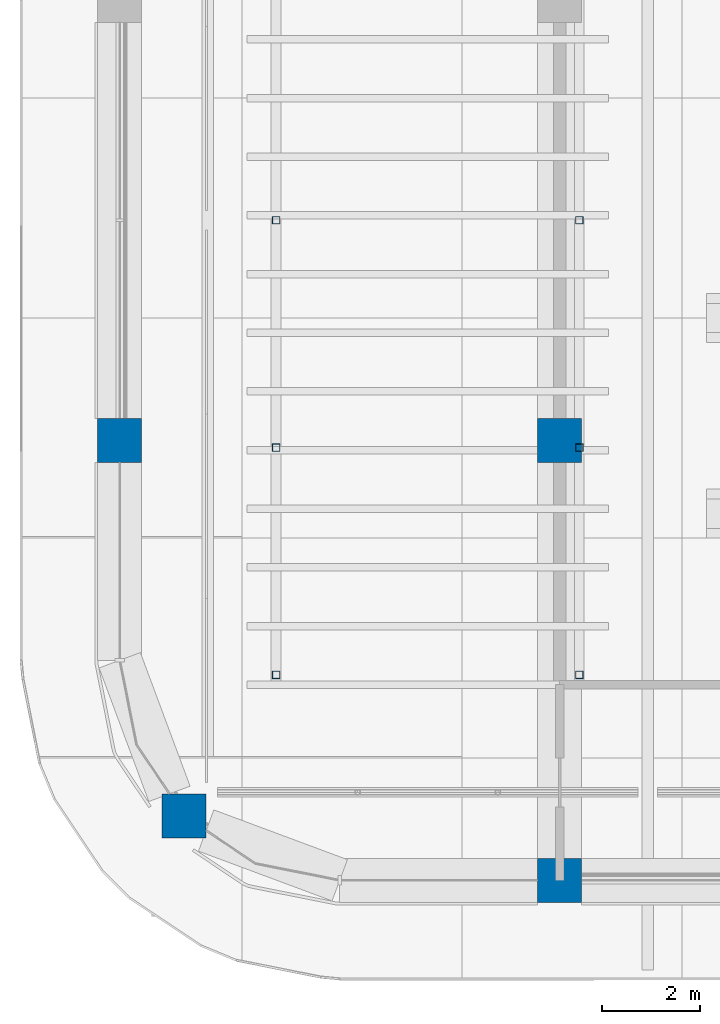
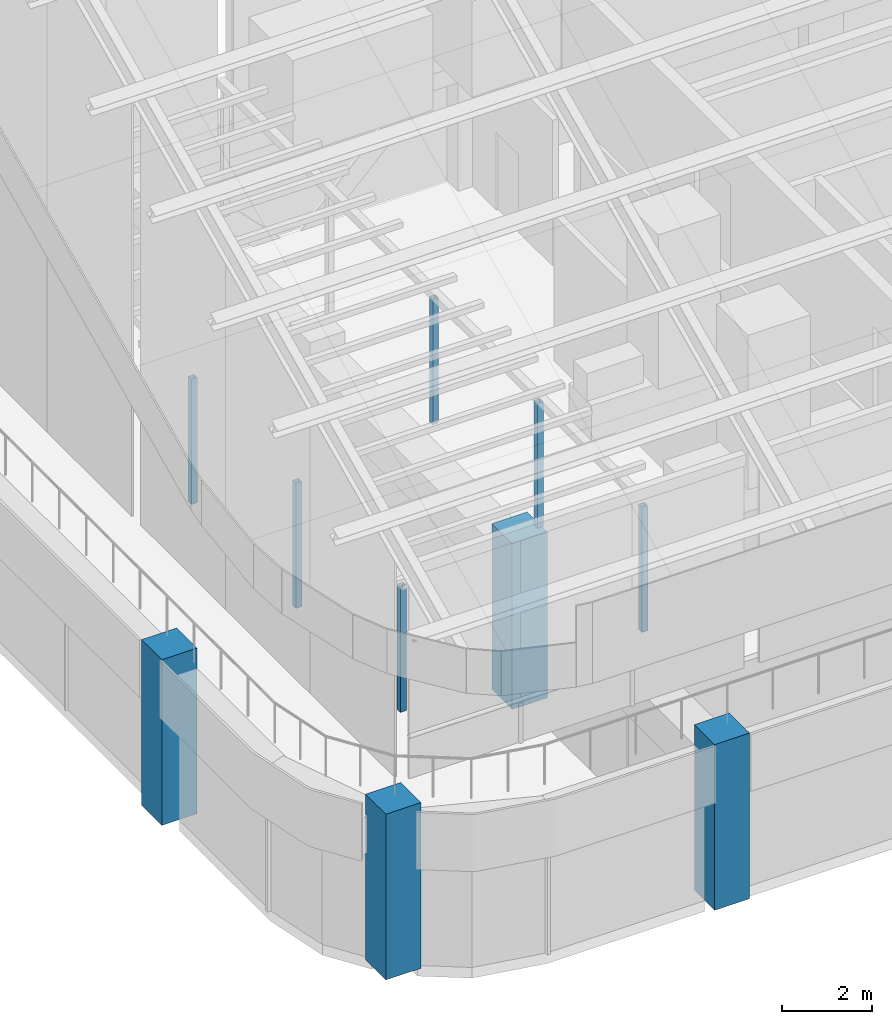
# One storey, part 1 of 31: 10 columns.
"""IFC4 building model written with IfcOpenShell, lengths in metres."""

from ifc_helpers import new_model, si_unit, direction, frame, origin, origin_2d, place, context, subcontext, project, spatial, rectangle, hollow_rectangle, extrude, material, material_profile, profile_set, type_object, element, save


model = new_model("IFC4")

# Units and contexts
model_context = context("Model", 3, precision=1e-05, world=origin(), true_north=direction((0.0, 1.0)))
body_context = subcontext(model_context, "Body", "Model", "MODEL_VIEW")
ifc_project = project(units=[si_unit("LENGTHUNIT", "METRE"), si_unit("AREAUNIT", "SQUARE_METRE"), si_unit("VOLUMEUNIT", "CUBIC_METRE"), si_unit("PLANEANGLEUNIT", "RADIAN"), si_unit("MASSUNIT", "GRAM", prefix="KILO")], contexts=[model_context])

# Site, building, storey
site_placement = place(None, origin())
site = spatial("IfcSite", under=ifc_project, at=site_placement, CompositionType="ELEMENT")
building_placement = place(site_placement, origin())
building = spatial("IfcBuilding", under=site, at=building_placement, Name="Tessera Arch", CompositionType="ELEMENT")
storey_placement = place(building_placement, frame((0.0, 0.0, 320.699951171875)))
storey = spatial("IfcBuildingStorey", under=building, at=storey_placement, Name="L77", CompositionType="ELEMENT", Elevation=320.699951171875)

# Columns
ifc_material_1 = material(Name="Steel A500 Gr C", Category="steel")
ifc_material_profile_1 = material_profile(ifc_material_1, hollow_rectangle(XDim=0.15234375, YDim=0.15234375, WallThickness=0.005859375, at=origin_2d()), Name="HSS6x6x1/4")
ifc_profile_set_1 = profile_set([ifc_material_profile_1], Name="Steel A500 Gr C")
column_type_1 = type_object("IfcColumnType", Name="Pergola post HSS6x6x1/4", PredefinedType="COLUMN", material=ifc_profile_set_1)
for number, where, z_axis, x_axis, name in (
    (1, (21.199951171875, 31.199951171875, 4.5), (0.0, 0.0, 1.0), (1.0, 0.0, 0.0), "Pergola post 1"),
    (2, (21.199951171875, 35.85009765625, 4.5), (0.0, 0.0, 1.0), (1.0, 0.0, 0.0), "Pergola post 2"),
    (3, (21.199951171875, 40.5, 4.5), (0.0, 0.0, 1.0), (1.0, 0.0, 0.0), "Pergola post 3"),
    (4, (27.39990234375, 31.199951171875, 4.5), (0.0, 0.0, 1.0), (1.0, 0.0, 0.0), "Pergola post 6"),
    (5, (27.39990234375, 35.85009765625, 4.5), (0.0, 0.0, 1.0), (1.0, 0.0, 0.0), "Pergola post 7"),
    (6, (27.39990234375, 40.5, 4.5), (0.0, 0.0, 1.0), (1.0, 0.0, 0.0), "Pergola post 8"),
):
    element("IfcColumn", number, at=place(storey_placement, frame(where, z_axis=z_axis, x_axis=x_axis)), inside=storey, type_object=column_type_1, Name=name, PredefinedType="COLUMN", context=body_context, shape_type="SweptSolid", body=[
        extrude(hollow_rectangle(XDim=0.15234375, YDim=0.15234375, WallThickness=0.005859375, at=origin_2d()), origin(), (0.0, 0.0, 1.0), 3.400146484375),
    ])
ifc_material_2 = material(Name="Concrete C50/60", Category="concrete")
ifc_material_profile_2 = material_profile(ifc_material_2, rectangle(XDim=0.89990234375, YDim=0.89990234375, at=origin_2d()), Name="RC column 900 x 900 Concrete C50/60")
ifc_profile_set_2 = profile_set([ifc_material_profile_2], Name="Concrete C50/60")
column_type_2 = type_object("IfcColumnType", Name="RC column 900 x 900 Concrete C50/60", PredefinedType="COLUMN", material=ifc_profile_set_2)
for number, where, z_axis, x_axis, name in (
    (7, (19.318115234375, 28.318115234375, 0.0), (0.0, 0.0, 1.0), (1.0, 0.0, 0.0), "Column C3D L77"),
    (8, (18.0, 36.0, 0.0), (0.0, 0.0, 1.0), (1.0, 0.0, 0.0), "Column C3E L77"),
    (9, (27.0, 27.0, 0.0), (0.0, 0.0, 1.0), (1.0, 0.0, 0.0), "Column C4D L77"),
    (10, (27.0, 36.0, 0.0), (0.0, 0.0, 1.0), (1.0, 0.0, 0.0), "Column C4E L77"),
):
    element("IfcColumn", number, at=place(storey_placement, frame(where, z_axis=z_axis, x_axis=x_axis)), inside=storey, type_object=column_type_2, Name=name, PredefinedType="COLUMN", context=body_context, shape_type="SweptSolid", body=[
        extrude(rectangle(XDim=0.89990234375, YDim=0.89990234375, at=origin_2d()), origin(), (0.0, 0.0, 1.0), 4.5),
    ])

save(model, "model.ifc")
